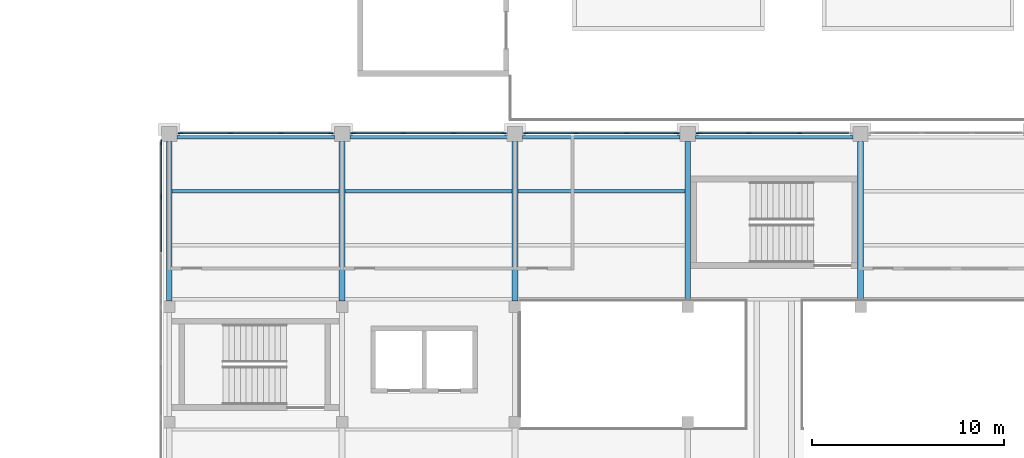
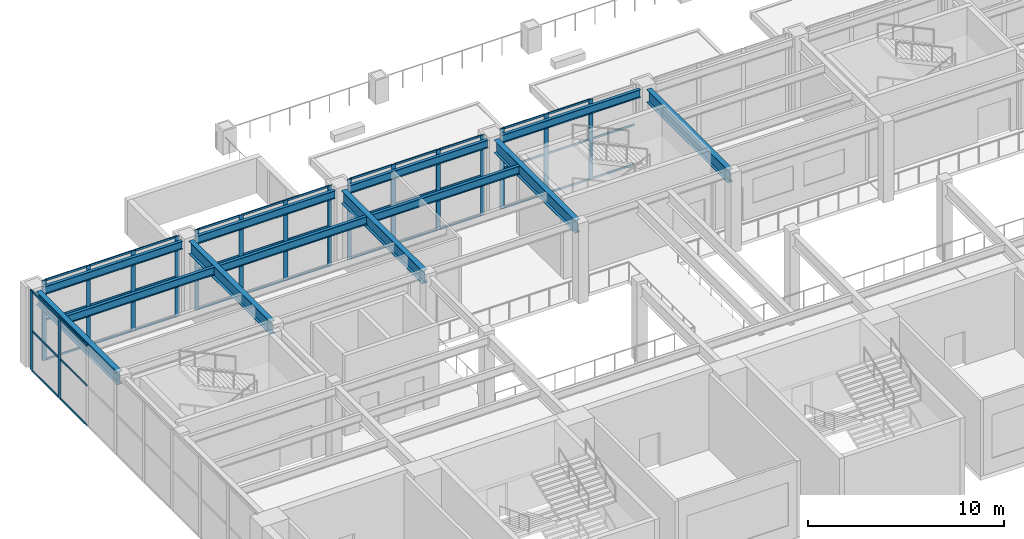
# One storey, part 14 of 67: 58 members, 12 beams, 5 elements without a shape of their own.
"""IFC4 building model written with IfcOpenShell, lengths in metres."""

from ifc_helpers import new_model, si_unit, direction, frame, origin, origin_2d, place, context, subcontext, project, spatial, rectangle, i_section, extrude, material, material_profile, profile_set, type_object, element, aggregate, save


model = new_model("IFC4")

# Units and contexts
model_context = context("Model", 3, precision=1e-05, world=origin(), true_north=direction((0.0, 1.0)))
body_context = subcontext(model_context, "Body", "Model", "MODEL_VIEW")
ifc_project = project(units=[si_unit("LENGTHUNIT", "METRE"), si_unit("AREAUNIT", "SQUARE_METRE"), si_unit("VOLUMEUNIT", "CUBIC_METRE"), si_unit("PLANEANGLEUNIT", "RADIAN"), si_unit("MASSUNIT", "GRAM", prefix="KILO")], contexts=[model_context])

# Site, building, storey
site_placement = place(None, origin())
site = spatial("IfcSite", under=ifc_project, at=site_placement, CompositionType="ELEMENT")
building_placement = place(site_placement, origin())
building = spatial("IfcBuilding", under=site, at=building_placement, Name="Aravalli Gate Trade Fair Centre", CompositionType="ELEMENT")
storey_placement = place(building_placement, frame((0.0, 0.0, 5.0)))
storey = spatial("IfcBuildingStorey", under=building, at=storey_placement, Name="L01", CompositionType="ELEMENT", Elevation=5.0)

# Curtain wall, members
ifc_material_1 = material(Name="Aluminium and glass", Category="aluminium")
curtain_wall_type = type_object("IfcCurtainWallType", Name="Curtain wall 3000 module, tall", PredefinedType="NOTDEFINED", material=ifc_material_1)
curtain_wall_1_placement = place(storey_placement, origin())
curtain_wall_1 = element("IfcCurtainWall", 1, at=curtain_wall_1_placement, inside=storey, type_object=curtain_wall_type, Name="Curtain wall north bay 1 L01", PredefinedType="NOTDEFINED")
ifc_material_2 = material(Name="Aluminium", Category="aluminium")
ifc_material_profile_1 = material_profile(ifc_material_2, rectangle(XDim=0.06005859375, YDim=0.25, at=origin_2d()), Name="Concourse curtain wall mullion 60 x 250")
ifc_profile_set_1 = profile_set([ifc_material_profile_1], Name="Aluminium")
member_type_1 = type_object("IfcMemberType", Name="Concourse curtain wall mullion 60 x 250", PredefinedType="MULLION", material=ifc_profile_set_1)
member_1_placement = place(storey_placement, frame((6.580078125, 133.044921875, 0.0), z_axis=(0.0, 0.0, 1.0), x_axis=(0.0, 1.0, 0.0)))
member_1 = element("IfcMember", 2, at=member_1_placement, type_object=member_type_1, Name="CW3 mullion 1", PredefinedType="MULLION", context=body_context, shape_type="SweptSolid", body=[
    extrude(rectangle(XDim=0.06005859375, YDim=0.25, at=origin_2d()), origin(), (0.0, 0.0, 1.0), 5.0),
])
member_2_placement = place(storey_placement, frame((9.183349609375, 133.044921875, 0.0), z_axis=(0.0, 0.0, 1.0), x_axis=(0.0, 1.0, 0.0)))
member_2 = element("IfcMember", 3, at=member_2_placement, type_object=member_type_1, Name="CW3 mullion 2", PredefinedType="MULLION", context=body_context, shape_type="SweptSolid", body=[
    extrude(rectangle(XDim=0.06005859375, YDim=0.25, at=origin_2d()), origin(), (0.0, 0.0, 1.0), 5.0),
])
member_3_placement = place(storey_placement, frame((11.816650390625, 133.044921875, 0.0), z_axis=(0.0, 0.0, 1.0), x_axis=(0.0, 1.0, 0.0)))
member_3 = element("IfcMember", 4, at=member_3_placement, type_object=member_type_1, Name="CW3 mullion 3", PredefinedType="MULLION", context=body_context, shape_type="SweptSolid", body=[
    extrude(rectangle(XDim=0.06005859375, YDim=0.25, at=origin_2d()), origin(), (0.0, 0.0, 1.0), 5.0),
])
member_4_placement = place(storey_placement, frame((14.419921875, 133.044921875, 0.0), z_axis=(0.0, 0.0, 1.0), x_axis=(0.0, 1.0, 0.0)))
member_4 = element("IfcMember", 5, at=member_4_placement, type_object=member_type_1, Name="CW3 mullion 4", PredefinedType="MULLION", context=body_context, shape_type="SweptSolid", body=[
    extrude(rectangle(XDim=0.06005859375, YDim=0.25, at=origin_2d()), origin(), (0.0, 0.0, 1.0), 5.0),
])

curtain_wall_2_placement = place(storey_placement, origin())
curtain_wall_2 = element("IfcCurtainWall", 6, at=curtain_wall_2_placement, inside=storey, type_object=curtain_wall_type, Name="Curtain wall north bay 2 L01", PredefinedType="NOTDEFINED")
member_5_placement = place(storey_placement, frame((15.580078125, 133.044921875, 0.0), z_axis=(0.0, 0.0, 1.0), x_axis=(0.0, 1.0, 0.0)))
member_5 = element("IfcMember", 7, at=member_5_placement, type_object=member_type_1, Name="CW3 mullion 1", PredefinedType="MULLION", context=body_context, shape_type="SweptSolid", body=[
    extrude(rectangle(XDim=0.06005859375, YDim=0.25, at=origin_2d()), origin(), (0.0, 0.0, 1.0), 5.0),
])
member_6_placement = place(storey_placement, frame((18.183349609375, 133.044921875, 0.0), z_axis=(0.0, 0.0, 1.0), x_axis=(0.0, 1.0, 0.0)))
member_6 = element("IfcMember", 8, at=member_6_placement, type_object=member_type_1, Name="CW3 mullion 2", PredefinedType="MULLION", context=body_context, shape_type="SweptSolid", body=[
    extrude(rectangle(XDim=0.06005859375, YDim=0.25, at=origin_2d()), origin(), (0.0, 0.0, 1.0), 5.0),
])
member_7_placement = place(storey_placement, frame((20.816650390625, 133.044921875, 0.0), z_axis=(0.0, 0.0, 1.0), x_axis=(0.0, 1.0, 0.0)))
member_7 = element("IfcMember", 9, at=member_7_placement, type_object=member_type_1, Name="CW3 mullion 3", PredefinedType="MULLION", context=body_context, shape_type="SweptSolid", body=[
    extrude(rectangle(XDim=0.06005859375, YDim=0.25, at=origin_2d()), origin(), (0.0, 0.0, 1.0), 5.0),
])
member_8_placement = place(storey_placement, frame((23.419921875, 133.044921875, 0.0), z_axis=(0.0, 0.0, 1.0), x_axis=(0.0, 1.0, 0.0)))
member_8 = element("IfcMember", 10, at=member_8_placement, type_object=member_type_1, Name="CW3 mullion 4", PredefinedType="MULLION", context=body_context, shape_type="SweptSolid", body=[
    extrude(rectangle(XDim=0.06005859375, YDim=0.25, at=origin_2d()), origin(), (0.0, 0.0, 1.0), 5.0),
])

curtain_wall_3_placement = place(storey_placement, origin())
curtain_wall_3 = element("IfcCurtainWall", 11, at=curtain_wall_3_placement, inside=storey, type_object=curtain_wall_type, Name="Curtain wall north bay 3 L01", PredefinedType="NOTDEFINED")
member_9_placement = place(storey_placement, frame((24.580078125, 133.044921875, 0.0), z_axis=(0.0, 0.0, 1.0), x_axis=(0.0, 1.0, 0.0)))
member_9 = element("IfcMember", 12, at=member_9_placement, type_object=member_type_1, Name="CW3 mullion 1", PredefinedType="MULLION", context=body_context, shape_type="SweptSolid", body=[
    extrude(rectangle(XDim=0.06005859375, YDim=0.25, at=origin_2d()), origin(), (0.0, 0.0, 1.0), 5.0),
])
member_10_placement = place(storey_placement, frame((27.183349609375, 133.044921875, 0.0), z_axis=(0.0, 0.0, 1.0), x_axis=(0.0, 1.0, 0.0)))
member_10 = element("IfcMember", 13, at=member_10_placement, type_object=member_type_1, Name="CW3 mullion 2", PredefinedType="MULLION", context=body_context, shape_type="SweptSolid", body=[
    extrude(rectangle(XDim=0.06005859375, YDim=0.25, at=origin_2d()), origin(), (0.0, 0.0, 1.0), 5.0),
])
member_11_placement = place(storey_placement, frame((29.816650390625, 133.044921875, 0.0), z_axis=(0.0, 0.0, 1.0), x_axis=(0.0, 1.0, 0.0)))
member_11 = element("IfcMember", 14, at=member_11_placement, type_object=member_type_1, Name="CW3 mullion 3", PredefinedType="MULLION", context=body_context, shape_type="SweptSolid", body=[
    extrude(rectangle(XDim=0.06005859375, YDim=0.25, at=origin_2d()), origin(), (0.0, 0.0, 1.0), 5.0),
])
member_12_placement = place(storey_placement, frame((32.419921875, 133.044921875, 0.0), z_axis=(0.0, 0.0, 1.0), x_axis=(0.0, 1.0, 0.0)))
member_12 = element("IfcMember", 15, at=member_12_placement, type_object=member_type_1, Name="CW3 mullion 4", PredefinedType="MULLION", context=body_context, shape_type="SweptSolid", body=[
    extrude(rectangle(XDim=0.06005859375, YDim=0.25, at=origin_2d()), origin(), (0.0, 0.0, 1.0), 5.0),
])

curtain_wall_4_placement = place(storey_placement, origin())
curtain_wall_4 = element("IfcCurtainWall", 16, at=curtain_wall_4_placement, inside=storey, type_object=curtain_wall_type, Name="Curtain wall north bay 4 L01", PredefinedType="NOTDEFINED")
member_13_placement = place(storey_placement, frame((33.580078125, 133.044921875, 0.0), z_axis=(0.0, 0.0, 1.0), x_axis=(0.0, 1.0, 0.0)))
member_13 = element("IfcMember", 17, at=member_13_placement, type_object=member_type_1, Name="CW3 mullion 1", PredefinedType="MULLION", context=body_context, shape_type="SweptSolid", body=[
    extrude(rectangle(XDim=0.06005859375, YDim=0.25, at=origin_2d()), origin(), (0.0, 0.0, 1.0), 5.0),
])
member_14_placement = place(storey_placement, frame((36.183349609375, 133.044921875, 0.0), z_axis=(0.0, 0.0, 1.0), x_axis=(0.0, 1.0, 0.0)))
member_14 = element("IfcMember", 18, at=member_14_placement, type_object=member_type_1, Name="CW3 mullion 2", PredefinedType="MULLION", context=body_context, shape_type="SweptSolid", body=[
    extrude(rectangle(XDim=0.06005859375, YDim=0.25, at=origin_2d()), origin(), (0.0, 0.0, 1.0), 5.0),
])
member_15_placement = place(storey_placement, frame((38.816650390625, 133.044921875, 0.0), z_axis=(0.0, 0.0, 1.0), x_axis=(0.0, 1.0, 0.0)))
member_15 = element("IfcMember", 19, at=member_15_placement, type_object=member_type_1, Name="CW3 mullion 3", PredefinedType="MULLION", context=body_context, shape_type="SweptSolid", body=[
    extrude(rectangle(XDim=0.06005859375, YDim=0.25, at=origin_2d()), origin(), (0.0, 0.0, 1.0), 5.0),
])

curtain_wall_5_placement = place(storey_placement, origin())
curtain_wall_5 = element("IfcCurtainWall", 20, at=curtain_wall_5_placement, inside=storey, type_object=curtain_wall_type, Name="Curtain wall west end L01", PredefinedType="NOTDEFINED")
member_16_placement = place(storey_placement, frame((5.574951171875, 129.72509765625, 0.0), z_axis=(0.0, 0.0, 1.0), x_axis=(-1.0, 0.0, 0.0)))
member_16 = element("IfcMember", 21, at=member_16_placement, type_object=member_type_1, Name="CW3 mullion 8", PredefinedType="MULLION", context=body_context, shape_type="SweptSolid", body=[
    extrude(rectangle(XDim=0.06005859375, YDim=0.25, at=origin_2d()), origin(), (0.0, 0.0, 1.0), 5.0),
])
member_17_placement = place(storey_placement, frame((5.574951171875, 132.570068359375, 0.0), z_axis=(0.0, 0.0, 1.0), x_axis=(-1.0, 0.0, 0.0)))
member_17 = element("IfcMember", 22, at=member_17_placement, type_object=member_type_1, Name="CW3 mullion 9", PredefinedType="MULLION", context=body_context, shape_type="SweptSolid", body=[
    extrude(rectangle(XDim=0.06005859375, YDim=0.25, at=origin_2d()), origin(), (0.0, 0.0, 1.0), 5.0),
])

# Member
ifc_material_profile_2 = material_profile(ifc_material_2, rectangle(XDim=0.06005859375, YDim=0.1201171875, at=origin_2d()), Name="Concourse curtain wall transom 60 x 120")
ifc_profile_set_2 = profile_set([ifc_material_profile_2], Name="Aluminium")
member_type_2 = type_object("IfcMemberType", Name="Concourse curtain wall transom 60 x 120", PredefinedType="USERDEFINED", material=ifc_profile_set_2)
member_18_placement = place(storey_placement, frame((6.610107421875, 133.044921875, 0.030029296875), z_axis=(1.0, 0.0, 0.0), x_axis=(0.0, 1.0, 0.0)))
member_18 = element("IfcMember", 23, at=member_18_placement, type_object=member_type_2, Name="CW3 transom 1.1", ObjectType="TRANSOM", PredefinedType="USERDEFINED", context=body_context, shape_type="SweptSolid", body=[
    extrude(rectangle(XDim=0.06005859375, YDim=0.1201171875, at=origin_2d()), origin(), (0.0, 0.0, 1.0), 2.543212890625),
])

member_19_placement = place(storey_placement, frame((6.610107421875, 133.044921875, 2.5), z_axis=(1.0, 0.0, 0.0), x_axis=(0.0, 1.0, 0.0)))
member_19 = element("IfcMember", 24, at=member_19_placement, type_object=member_type_2, Name="CW3 transom 1.2", ObjectType="TRANSOM", PredefinedType="USERDEFINED", context=body_context, shape_type="SweptSolid", body=[
    extrude(rectangle(XDim=0.06005859375, YDim=0.1201171875, at=origin_2d()), origin(), (0.0, 0.0, 1.0), 2.543212890625),
])

member_20_placement = place(storey_placement, frame((6.610107421875, 133.044921875, 4.969970703125), z_axis=(1.0, 0.0, 0.0), x_axis=(0.0, 1.0, 0.0)))
member_20 = element("IfcMember", 25, at=member_20_placement, type_object=member_type_2, Name="CW3 transom 1.3", ObjectType="TRANSOM", PredefinedType="USERDEFINED", context=body_context, shape_type="SweptSolid", body=[
    extrude(rectangle(XDim=0.06005859375, YDim=0.1201171875, at=origin_2d()), origin(), (0.0, 0.0, 1.0), 2.543212890625),
])

member_21_placement = place(storey_placement, frame((9.21337890625, 133.044921875, 0.030029296875), z_axis=(1.0, 0.0, 0.0), x_axis=(0.0, 1.0, 0.0)))
member_21 = element("IfcMember", 26, at=member_21_placement, type_object=member_type_2, Name="CW3 transom 2.1", ObjectType="TRANSOM", PredefinedType="USERDEFINED", context=body_context, shape_type="SweptSolid", body=[
    extrude(rectangle(XDim=0.06005859375, YDim=0.1201171875, at=origin_2d()), origin(), (0.0, 0.0, 1.0), 2.5732421875),
])

member_22_placement = place(storey_placement, frame((9.21337890625, 133.044921875, 2.5), z_axis=(1.0, 0.0, 0.0), x_axis=(0.0, 1.0, 0.0)))
member_22 = element("IfcMember", 27, at=member_22_placement, type_object=member_type_2, Name="CW3 transom 2.2", ObjectType="TRANSOM", PredefinedType="USERDEFINED", context=body_context, shape_type="SweptSolid", body=[
    extrude(rectangle(XDim=0.06005859375, YDim=0.1201171875, at=origin_2d()), origin(), (0.0, 0.0, 1.0), 2.5732421875),
])

member_23_placement = place(storey_placement, frame((9.21337890625, 133.044921875, 4.969970703125), z_axis=(1.0, 0.0, 0.0), x_axis=(0.0, 1.0, 0.0)))
member_23 = element("IfcMember", 28, at=member_23_placement, type_object=member_type_2, Name="CW3 transom 2.3", ObjectType="TRANSOM", PredefinedType="USERDEFINED", context=body_context, shape_type="SweptSolid", body=[
    extrude(rectangle(XDim=0.06005859375, YDim=0.1201171875, at=origin_2d()), origin(), (0.0, 0.0, 1.0), 2.5732421875),
])

member_24_placement = place(storey_placement, frame((11.8466796875, 133.044921875, 0.030029296875), z_axis=(1.0, 0.0, 0.0), x_axis=(0.0, 1.0, 0.0)))
member_24 = element("IfcMember", 29, at=member_24_placement, type_object=member_type_2, Name="CW3 transom 3.1", ObjectType="TRANSOM", PredefinedType="USERDEFINED", context=body_context, shape_type="SweptSolid", body=[
    extrude(rectangle(XDim=0.06005859375, YDim=0.1201171875, at=origin_2d()), origin(), (0.0, 0.0, 1.0), 2.543212890625),
])

member_25_placement = place(storey_placement, frame((11.8466796875, 133.044921875, 2.5), z_axis=(1.0, 0.0, 0.0), x_axis=(0.0, 1.0, 0.0)))
member_25 = element("IfcMember", 30, at=member_25_placement, type_object=member_type_2, Name="CW3 transom 3.2", ObjectType="TRANSOM", PredefinedType="USERDEFINED", context=body_context, shape_type="SweptSolid", body=[
    extrude(rectangle(XDim=0.06005859375, YDim=0.1201171875, at=origin_2d()), origin(), (0.0, 0.0, 1.0), 2.543212890625),
])

member_26_placement = place(storey_placement, frame((11.8466796875, 133.044921875, 4.969970703125), z_axis=(1.0, 0.0, 0.0), x_axis=(0.0, 1.0, 0.0)))
member_26 = element("IfcMember", 31, at=member_26_placement, type_object=member_type_2, Name="CW3 transom 3.3", ObjectType="TRANSOM", PredefinedType="USERDEFINED", context=body_context, shape_type="SweptSolid", body=[
    extrude(rectangle(XDim=0.06005859375, YDim=0.1201171875, at=origin_2d()), origin(), (0.0, 0.0, 1.0), 2.543212890625),
])

aggregate(curtain_wall_1, [member_1, member_2, member_3, member_4, member_18, member_19, member_20, member_21, member_22, member_23, member_24, member_25, member_26])

member_27_placement = place(storey_placement, frame((15.610107421875, 133.044921875, 0.030029296875), z_axis=(1.0, 0.0, 0.0), x_axis=(0.0, 1.0, 0.0)))
member_27 = element("IfcMember", 32, at=member_27_placement, type_object=member_type_2, Name="CW3 transom 1.1", ObjectType="TRANSOM", PredefinedType="USERDEFINED", context=body_context, shape_type="SweptSolid", body=[
    extrude(rectangle(XDim=0.06005859375, YDim=0.1201171875, at=origin_2d()), origin(), (0.0, 0.0, 1.0), 2.543212890625),
])

member_28_placement = place(storey_placement, frame((15.610107421875, 133.044921875, 2.5), z_axis=(1.0, 0.0, 0.0), x_axis=(0.0, 1.0, 0.0)))
member_28 = element("IfcMember", 33, at=member_28_placement, type_object=member_type_2, Name="CW3 transom 1.2", ObjectType="TRANSOM", PredefinedType="USERDEFINED", context=body_context, shape_type="SweptSolid", body=[
    extrude(rectangle(XDim=0.06005859375, YDim=0.1201171875, at=origin_2d()), origin(), (0.0, 0.0, 1.0), 2.543212890625),
])

member_29_placement = place(storey_placement, frame((15.610107421875, 133.044921875, 4.969970703125), z_axis=(1.0, 0.0, 0.0), x_axis=(0.0, 1.0, 0.0)))
member_29 = element("IfcMember", 34, at=member_29_placement, type_object=member_type_2, Name="CW3 transom 1.3", ObjectType="TRANSOM", PredefinedType="USERDEFINED", context=body_context, shape_type="SweptSolid", body=[
    extrude(rectangle(XDim=0.06005859375, YDim=0.1201171875, at=origin_2d()), origin(), (0.0, 0.0, 1.0), 2.543212890625),
])

member_30_placement = place(storey_placement, frame((18.21337890625, 133.044921875, 0.030029296875), z_axis=(1.0, 0.0, 0.0), x_axis=(0.0, 1.0, 0.0)))
member_30 = element("IfcMember", 35, at=member_30_placement, type_object=member_type_2, Name="CW3 transom 2.1", ObjectType="TRANSOM", PredefinedType="USERDEFINED", context=body_context, shape_type="SweptSolid", body=[
    extrude(rectangle(XDim=0.06005859375, YDim=0.1201171875, at=origin_2d()), origin(), (0.0, 0.0, 1.0), 2.5732421875),
])

member_31_placement = place(storey_placement, frame((18.21337890625, 133.044921875, 2.5), z_axis=(1.0, 0.0, 0.0), x_axis=(0.0, 1.0, 0.0)))
member_31 = element("IfcMember", 36, at=member_31_placement, type_object=member_type_2, Name="CW3 transom 2.2", ObjectType="TRANSOM", PredefinedType="USERDEFINED", context=body_context, shape_type="SweptSolid", body=[
    extrude(rectangle(XDim=0.06005859375, YDim=0.1201171875, at=origin_2d()), origin(), (0.0, 0.0, 1.0), 2.5732421875),
])

member_32_placement = place(storey_placement, frame((18.21337890625, 133.044921875, 4.969970703125), z_axis=(1.0, 0.0, 0.0), x_axis=(0.0, 1.0, 0.0)))
member_32 = element("IfcMember", 37, at=member_32_placement, type_object=member_type_2, Name="CW3 transom 2.3", ObjectType="TRANSOM", PredefinedType="USERDEFINED", context=body_context, shape_type="SweptSolid", body=[
    extrude(rectangle(XDim=0.06005859375, YDim=0.1201171875, at=origin_2d()), origin(), (0.0, 0.0, 1.0), 2.5732421875),
])

member_33_placement = place(storey_placement, frame((20.8466796875, 133.044921875, 0.030029296875), z_axis=(1.0, 0.0, 0.0), x_axis=(0.0, 1.0, 0.0)))
member_33 = element("IfcMember", 38, at=member_33_placement, type_object=member_type_2, Name="CW3 transom 3.1", ObjectType="TRANSOM", PredefinedType="USERDEFINED", context=body_context, shape_type="SweptSolid", body=[
    extrude(rectangle(XDim=0.06005859375, YDim=0.1201171875, at=origin_2d()), origin(), (0.0, 0.0, 1.0), 2.543212890625),
])

member_34_placement = place(storey_placement, frame((20.8466796875, 133.044921875, 2.5), z_axis=(1.0, 0.0, 0.0), x_axis=(0.0, 1.0, 0.0)))
member_34 = element("IfcMember", 39, at=member_34_placement, type_object=member_type_2, Name="CW3 transom 3.2", ObjectType="TRANSOM", PredefinedType="USERDEFINED", context=body_context, shape_type="SweptSolid", body=[
    extrude(rectangle(XDim=0.06005859375, YDim=0.1201171875, at=origin_2d()), origin(), (0.0, 0.0, 1.0), 2.543212890625),
])

member_35_placement = place(storey_placement, frame((20.8466796875, 133.044921875, 4.969970703125), z_axis=(1.0, 0.0, 0.0), x_axis=(0.0, 1.0, 0.0)))
member_35 = element("IfcMember", 40, at=member_35_placement, type_object=member_type_2, Name="CW3 transom 3.3", ObjectType="TRANSOM", PredefinedType="USERDEFINED", context=body_context, shape_type="SweptSolid", body=[
    extrude(rectangle(XDim=0.06005859375, YDim=0.1201171875, at=origin_2d()), origin(), (0.0, 0.0, 1.0), 2.543212890625),
])

aggregate(curtain_wall_2, [member_5, member_6, member_7, member_8, member_27, member_28, member_29, member_30, member_31, member_32, member_33, member_34, member_35])

member_36_placement = place(storey_placement, frame((24.610107421875, 133.044921875, 0.030029296875), z_axis=(1.0, 0.0, 0.0), x_axis=(0.0, 1.0, 0.0)))
member_36 = element("IfcMember", 41, at=member_36_placement, type_object=member_type_2, Name="CW3 transom 1.1", ObjectType="TRANSOM", PredefinedType="USERDEFINED", context=body_context, shape_type="SweptSolid", body=[
    extrude(rectangle(XDim=0.06005859375, YDim=0.1201171875, at=origin_2d()), origin(), (0.0, 0.0, 1.0), 2.543212890625),
])

member_37_placement = place(storey_placement, frame((24.610107421875, 133.044921875, 2.5), z_axis=(1.0, 0.0, 0.0), x_axis=(0.0, 1.0, 0.0)))
member_37 = element("IfcMember", 42, at=member_37_placement, type_object=member_type_2, Name="CW3 transom 1.2", ObjectType="TRANSOM", PredefinedType="USERDEFINED", context=body_context, shape_type="SweptSolid", body=[
    extrude(rectangle(XDim=0.06005859375, YDim=0.1201171875, at=origin_2d()), origin(), (0.0, 0.0, 1.0), 2.543212890625),
])

member_38_placement = place(storey_placement, frame((24.610107421875, 133.044921875, 4.969970703125), z_axis=(1.0, 0.0, 0.0), x_axis=(0.0, 1.0, 0.0)))
member_38 = element("IfcMember", 43, at=member_38_placement, type_object=member_type_2, Name="CW3 transom 1.3", ObjectType="TRANSOM", PredefinedType="USERDEFINED", context=body_context, shape_type="SweptSolid", body=[
    extrude(rectangle(XDim=0.06005859375, YDim=0.1201171875, at=origin_2d()), origin(), (0.0, 0.0, 1.0), 2.543212890625),
])

member_39_placement = place(storey_placement, frame((27.21337890625, 133.044921875, 0.030029296875), z_axis=(1.0, 0.0, 0.0), x_axis=(0.0, 1.0, 0.0)))
member_39 = element("IfcMember", 44, at=member_39_placement, type_object=member_type_2, Name="CW3 transom 2.1", ObjectType="TRANSOM", PredefinedType="USERDEFINED", context=body_context, shape_type="SweptSolid", body=[
    extrude(rectangle(XDim=0.06005859375, YDim=0.1201171875, at=origin_2d()), origin(), (0.0, 0.0, 1.0), 2.5732421875),
])

member_40_placement = place(storey_placement, frame((27.21337890625, 133.044921875, 2.5), z_axis=(1.0, 0.0, 0.0), x_axis=(0.0, 1.0, 0.0)))
member_40 = element("IfcMember", 45, at=member_40_placement, type_object=member_type_2, Name="CW3 transom 2.2", ObjectType="TRANSOM", PredefinedType="USERDEFINED", context=body_context, shape_type="SweptSolid", body=[
    extrude(rectangle(XDim=0.06005859375, YDim=0.1201171875, at=origin_2d()), origin(), (0.0, 0.0, 1.0), 2.5732421875),
])

member_41_placement = place(storey_placement, frame((27.21337890625, 133.044921875, 4.969970703125), z_axis=(1.0, 0.0, 0.0), x_axis=(0.0, 1.0, 0.0)))
member_41 = element("IfcMember", 46, at=member_41_placement, type_object=member_type_2, Name="CW3 transom 2.3", ObjectType="TRANSOM", PredefinedType="USERDEFINED", context=body_context, shape_type="SweptSolid", body=[
    extrude(rectangle(XDim=0.06005859375, YDim=0.1201171875, at=origin_2d()), origin(), (0.0, 0.0, 1.0), 2.5732421875),
])

member_42_placement = place(storey_placement, frame((29.8466796875, 133.044921875, 0.030029296875), z_axis=(1.0, 0.0, 0.0), x_axis=(0.0, 1.0, 0.0)))
member_42 = element("IfcMember", 47, at=member_42_placement, type_object=member_type_2, Name="CW3 transom 3.1", ObjectType="TRANSOM", PredefinedType="USERDEFINED", context=body_context, shape_type="SweptSolid", body=[
    extrude(rectangle(XDim=0.06005859375, YDim=0.1201171875, at=origin_2d()), origin(), (0.0, 0.0, 1.0), 2.543212890625),
])

member_43_placement = place(storey_placement, frame((29.8466796875, 133.044921875, 2.5), z_axis=(1.0, 0.0, 0.0), x_axis=(0.0, 1.0, 0.0)))
member_43 = element("IfcMember", 48, at=member_43_placement, type_object=member_type_2, Name="CW3 transom 3.2", ObjectType="TRANSOM", PredefinedType="USERDEFINED", context=body_context, shape_type="SweptSolid", body=[
    extrude(rectangle(XDim=0.06005859375, YDim=0.1201171875, at=origin_2d()), origin(), (0.0, 0.0, 1.0), 2.543212890625),
])

member_44_placement = place(storey_placement, frame((29.8466796875, 133.044921875, 4.969970703125), z_axis=(1.0, 0.0, 0.0), x_axis=(0.0, 1.0, 0.0)))
member_44 = element("IfcMember", 49, at=member_44_placement, type_object=member_type_2, Name="CW3 transom 3.3", ObjectType="TRANSOM", PredefinedType="USERDEFINED", context=body_context, shape_type="SweptSolid", body=[
    extrude(rectangle(XDim=0.06005859375, YDim=0.1201171875, at=origin_2d()), origin(), (0.0, 0.0, 1.0), 2.543212890625),
])

aggregate(curtain_wall_3, [member_9, member_10, member_11, member_12, member_36, member_37, member_38, member_39, member_40, member_41, member_42, member_43, member_44])

member_45_placement = place(storey_placement, frame((33.610107421875, 133.044921875, 0.030029296875), z_axis=(1.0, 0.0, 0.0), x_axis=(0.0, 1.0, 0.0)))
member_45 = element("IfcMember", 50, at=member_45_placement, type_object=member_type_2, Name="CW3 transom 1.1", ObjectType="TRANSOM", PredefinedType="USERDEFINED", context=body_context, shape_type="SweptSolid", body=[
    extrude(rectangle(XDim=0.06005859375, YDim=0.1201171875, at=origin_2d()), origin(), (0.0, 0.0, 1.0), 2.543212890625),
])

member_46_placement = place(storey_placement, frame((33.610107421875, 133.044921875, 2.5), z_axis=(1.0, 0.0, 0.0), x_axis=(0.0, 1.0, 0.0)))
member_46 = element("IfcMember", 51, at=member_46_placement, type_object=member_type_2, Name="CW3 transom 1.2", ObjectType="TRANSOM", PredefinedType="USERDEFINED", context=body_context, shape_type="SweptSolid", body=[
    extrude(rectangle(XDim=0.06005859375, YDim=0.1201171875, at=origin_2d()), origin(), (0.0, 0.0, 1.0), 2.543212890625),
])

member_47_placement = place(storey_placement, frame((33.610107421875, 133.044921875, 4.969970703125), z_axis=(1.0, 0.0, 0.0), x_axis=(0.0, 1.0, 0.0)))
member_47 = element("IfcMember", 52, at=member_47_placement, type_object=member_type_2, Name="CW3 transom 1.3", ObjectType="TRANSOM", PredefinedType="USERDEFINED", context=body_context, shape_type="SweptSolid", body=[
    extrude(rectangle(XDim=0.06005859375, YDim=0.1201171875, at=origin_2d()), origin(), (0.0, 0.0, 1.0), 2.543212890625),
])

member_48_placement = place(storey_placement, frame((36.21337890625, 133.044921875, 0.030029296875), z_axis=(1.0, 0.0, 0.0), x_axis=(0.0, 1.0, 0.0)))
member_48 = element("IfcMember", 53, at=member_48_placement, type_object=member_type_2, Name="CW3 transom 2.1", ObjectType="TRANSOM", PredefinedType="USERDEFINED", context=body_context, shape_type="SweptSolid", body=[
    extrude(rectangle(XDim=0.06005859375, YDim=0.1201171875, at=origin_2d()), origin(), (0.0, 0.0, 1.0), 2.5732421875),
])

member_49_placement = place(storey_placement, frame((36.21337890625, 133.044921875, 2.5), z_axis=(1.0, 0.0, 0.0), x_axis=(0.0, 1.0, 0.0)))
member_49 = element("IfcMember", 54, at=member_49_placement, type_object=member_type_2, Name="CW3 transom 2.2", ObjectType="TRANSOM", PredefinedType="USERDEFINED", context=body_context, shape_type="SweptSolid", body=[
    extrude(rectangle(XDim=0.06005859375, YDim=0.1201171875, at=origin_2d()), origin(), (0.0, 0.0, 1.0), 2.5732421875),
])

member_50_placement = place(storey_placement, frame((36.21337890625, 133.044921875, 4.969970703125), z_axis=(1.0, 0.0, 0.0), x_axis=(0.0, 1.0, 0.0)))
member_50 = element("IfcMember", 55, at=member_50_placement, type_object=member_type_2, Name="CW3 transom 2.3", ObjectType="TRANSOM", PredefinedType="USERDEFINED", context=body_context, shape_type="SweptSolid", body=[
    extrude(rectangle(XDim=0.06005859375, YDim=0.1201171875, at=origin_2d()), origin(), (0.0, 0.0, 1.0), 2.5732421875),
])

member_51_placement = place(storey_placement, frame((38.8466796875, 133.044921875, 0.030029296875), z_axis=(1.0, 0.0, 0.0), x_axis=(0.0, 1.0, 0.0)))
member_51 = element("IfcMember", 56, at=member_51_placement, type_object=member_type_2, Name="CW3 transom 3.1", ObjectType="TRANSOM", PredefinedType="USERDEFINED", context=body_context, shape_type="SweptSolid", body=[
    extrude(rectangle(XDim=0.06005859375, YDim=0.1201171875, at=origin_2d()), origin(), (0.0, 0.0, 1.0), 2.543212890625),
])

member_52_placement = place(storey_placement, frame((38.8466796875, 133.044921875, 2.5), z_axis=(1.0, 0.0, 0.0), x_axis=(0.0, 1.0, 0.0)))
member_52 = element("IfcMember", 57, at=member_52_placement, type_object=member_type_2, Name="CW3 transom 3.2", ObjectType="TRANSOM", PredefinedType="USERDEFINED", context=body_context, shape_type="SweptSolid", body=[
    extrude(rectangle(XDim=0.06005859375, YDim=0.1201171875, at=origin_2d()), origin(), (0.0, 0.0, 1.0), 2.543212890625),
])

aggregate(curtain_wall_4, [member_13, member_14, member_15, member_45, member_46, member_47, member_48, member_49, member_50, member_51, member_52])

member_53_placement = place(storey_placement, frame((5.574951171875, 126.8798828125, 0.030029296875), z_axis=(0.0, 1.0, 0.0), x_axis=(-1.0, 0.0, 0.0)))
member_53 = element("IfcMember", 58, at=member_53_placement, type_object=member_type_2, Name="CW3 transom 7.1", ObjectType="TRANSOM", PredefinedType="USERDEFINED", context=body_context, shape_type="SweptSolid", body=[
    extrude(rectangle(XDim=0.06005859375, YDim=0.1201171875, at=origin_2d()), origin(), (0.0, 0.0, 1.0), 2.815185546875),
])

member_54_placement = place(storey_placement, frame((5.574951171875, 126.8798828125, 2.5), z_axis=(0.0, 1.0, 0.0), x_axis=(-1.0, 0.0, 0.0)))
member_54 = element("IfcMember", 59, at=member_54_placement, type_object=member_type_2, Name="CW3 transom 7.2", ObjectType="TRANSOM", PredefinedType="USERDEFINED", context=body_context, shape_type="SweptSolid", body=[
    extrude(rectangle(XDim=0.06005859375, YDim=0.1201171875, at=origin_2d()), origin(), (0.0, 0.0, 1.0), 2.815185546875),
])

member_55_placement = place(storey_placement, frame((5.574951171875, 126.8798828125, 4.969970703125), z_axis=(0.0, 1.0, 0.0), x_axis=(-1.0, 0.0, 0.0)))
member_55 = element("IfcMember", 60, at=member_55_placement, type_object=member_type_2, Name="CW3 transom 7.3", ObjectType="TRANSOM", PredefinedType="USERDEFINED", context=body_context, shape_type="SweptSolid", body=[
    extrude(rectangle(XDim=0.06005859375, YDim=0.1201171875, at=origin_2d()), origin(), (0.0, 0.0, 1.0), 2.815185546875),
])

member_56_placement = place(storey_placement, frame((5.574951171875, 129.7548828125, 0.030029296875), z_axis=(0.0, 1.0, 0.0), x_axis=(-1.0, 0.0, 0.0)))
member_56 = element("IfcMember", 61, at=member_56_placement, type_object=member_type_2, Name="CW3 transom 8.1", ObjectType="TRANSOM", PredefinedType="USERDEFINED", context=body_context, shape_type="SweptSolid", body=[
    extrude(rectangle(XDim=0.06005859375, YDim=0.1201171875, at=origin_2d()), origin(), (0.0, 0.0, 1.0), 2.78515625),
])

member_57_placement = place(storey_placement, frame((5.574951171875, 129.7548828125, 2.5), z_axis=(0.0, 1.0, 0.0), x_axis=(-1.0, 0.0, 0.0)))
member_57 = element("IfcMember", 62, at=member_57_placement, type_object=member_type_2, Name="CW3 transom 8.2", ObjectType="TRANSOM", PredefinedType="USERDEFINED", context=body_context, shape_type="SweptSolid", body=[
    extrude(rectangle(XDim=0.06005859375, YDim=0.1201171875, at=origin_2d()), origin(), (0.0, 0.0, 1.0), 2.78515625),
])

member_58_placement = place(storey_placement, frame((5.574951171875, 129.7548828125, 4.969970703125), z_axis=(0.0, 1.0, 0.0), x_axis=(-1.0, 0.0, 0.0)))
member_58 = element("IfcMember", 63, at=member_58_placement, type_object=member_type_2, Name="CW3 transom 8.3", ObjectType="TRANSOM", PredefinedType="USERDEFINED", context=body_context, shape_type="SweptSolid", body=[
    extrude(rectangle(XDim=0.06005859375, YDim=0.1201171875, at=origin_2d()), origin(), (0.0, 0.0, 1.0), 2.78515625),
])

aggregate(curtain_wall_5, [member_16, member_17, member_53, member_54, member_55, member_56, member_57, member_58])

# Beams
ifc_material_3 = material(Name="Steel E350", Category="steel")
ifc_material_profile_3 = material_profile(ifc_material_3, i_section(OverallWidth=0.179931640625, OverallDepth=0.5, WebThickness=0.01025390625, FlangeThickness=0.01708984375, at=origin_2d()), Name="ISMB 500")
ifc_profile_set_3 = profile_set([ifc_material_profile_3], Name="Steel E350")
beam_type_1 = type_object("IfcBeamType", Name="ISMB 500 gallery secondary beam", PredefinedType="JOIST", material=ifc_profile_set_3)
beam_1_placement = place(storey_placement, frame((6.14990234375, 130.0166015625, 4.550048828125), z_axis=(1.0, 0.0, 0.0), x_axis=(0.0, 1.0, 0.0)))
element("IfcBeam", 64, at=beam_1_placement, inside=storey, type_object=beam_type_1, Name="Gallery beam N6 01-02 L02", PredefinedType="JOIST", context=body_context, shape_type="SweptSolid", body=[
    extrude(i_section(OverallWidth=0.179931640625, OverallDepth=0.5, WebThickness=0.01025390625, FlangeThickness=0.01708984375, at=origin_2d()), origin(), (0.0, 0.0, 1.0), 8.7001953125),
])
beam_2_placement = place(storey_placement, frame((6.39990234375, 132.830078125, 4.550048828125), z_axis=(1.0, 0.0, 0.0), x_axis=(0.0, 1.0, 0.0)))
element("IfcBeam", 65, at=beam_2_placement, inside=storey, type_object=beam_type_1, Name="Gallery beam N7 01-02 L02", PredefinedType="JOIST", context=body_context, shape_type="SweptSolid", body=[
    extrude(i_section(OverallWidth=0.179931640625, OverallDepth=0.5, WebThickness=0.01025390625, FlangeThickness=0.01708984375, at=origin_2d()), origin(), (0.0, 0.0, 1.0), 8.2001953125),
])
beam_3_placement = place(storey_placement, frame((15.14990234375, 130.0166015625, 4.550048828125), z_axis=(1.0, 0.0, 0.0), x_axis=(0.0, 1.0, 0.0)))
element("IfcBeam", 66, at=beam_3_placement, inside=storey, type_object=beam_type_1, Name="Gallery beam N6 02-03 L02", PredefinedType="JOIST", context=body_context, shape_type="SweptSolid", body=[
    extrude(i_section(OverallWidth=0.179931640625, OverallDepth=0.5, WebThickness=0.01025390625, FlangeThickness=0.01708984375, at=origin_2d()), origin(), (0.0, 0.0, 1.0), 8.7001953125),
])
beam_4_placement = place(storey_placement, frame((15.39990234375, 132.830078125, 4.550048828125), z_axis=(1.0, 0.0, 0.0), x_axis=(0.0, 1.0, 0.0)))
element("IfcBeam", 67, at=beam_4_placement, inside=storey, type_object=beam_type_1, Name="Gallery beam N7 02-03 L02", PredefinedType="JOIST", context=body_context, shape_type="SweptSolid", body=[
    extrude(i_section(OverallWidth=0.179931640625, OverallDepth=0.5, WebThickness=0.01025390625, FlangeThickness=0.01708984375, at=origin_2d()), origin(), (0.0, 0.0, 1.0), 8.2001953125),
])
beam_5_placement = place(storey_placement, frame((24.14990234375, 130.0166015625, 4.550048828125), z_axis=(1.0, 0.0, 0.0), x_axis=(0.0, 1.0, 0.0)))
element("IfcBeam", 68, at=beam_5_placement, inside=storey, type_object=beam_type_1, Name="Gallery beam N4 03-04 L02", PredefinedType="JOIST", context=body_context, shape_type="SweptSolid", body=[
    extrude(i_section(OverallWidth=0.179931640625, OverallDepth=0.5, WebThickness=0.01025390625, FlangeThickness=0.01708984375, at=origin_2d()), origin(), (0.0, 0.0, 1.0), 8.7001953125),
])
for number, where, z_axis, x_axis, name in (
    (69, (24.39990234375, 132.830078125, 4.550048828125), (1.0, 0.0, 0.0), (0.0, 1.0, 0.0), "Gallery beam N5 03-04 L02"),
    (70, (33.39990234375, 132.830078125, 4.550048828125), (1.0, 0.0, 0.0), (0.0, 1.0, 0.0), "Gallery beam N5 04-05 L02"),
):
    element("IfcBeam", number, at=place(storey_placement, frame(where, z_axis=z_axis, x_axis=x_axis)), inside=storey, type_object=beam_type_1, Name=name, PredefinedType="JOIST", context=body_context, shape_type="SweptSolid", body=[
        extrude(i_section(OverallWidth=0.179931640625, OverallDepth=0.5, WebThickness=0.01025390625, FlangeThickness=0.01708984375, at=origin_2d()), origin(), (0.0, 0.0, 1.0), 8.2001953125),
    ])
ifc_material_profile_4 = material_profile(ifc_material_3, i_section(OverallWidth=0.300048828125, OverallDepth=0.800048828125, WebThickness=0.011962890625, FlangeThickness=0.02490234375, at=origin_2d()), Name="PG 800x300x12x25")
ifc_profile_set_4 = profile_set([ifc_material_profile_4], Name="Steel E350")
beam_type_2 = type_object("IfcBeamType", Name="PG 800x300x12x25 gallery plate girder", PredefinedType="BEAM", material=ifc_profile_set_4)
for number, where, z_axis, x_axis, name in (
    (71, (6.0, 124.300048828125, 4.39990234375), (0.0, 1.0, 0.0), (-1.0, 0.0, 0.0), "Gallery girder N01 L02"),
    (72, (15.0, 124.300048828125, 4.39990234375), (0.0, 1.0, 0.0), (-1.0, 0.0, 0.0), "Gallery girder N02 L02"),
    (73, (24.0, 124.300048828125, 4.39990234375), (0.0, 1.0, 0.0), (-1.0, 0.0, 0.0), "Gallery girder N03 L02"),
    (74, (33.0, 124.300048828125, 4.39990234375), (0.0, 1.0, 0.0), (-1.0, 0.0, 0.0), "Gallery girder N04 L02"),
    (75, (42.0, 124.300048828125, 4.39990234375), (0.0, 1.0, 0.0), (-1.0, 0.0, 0.0), "Gallery girder N05 L02"),
):
    element("IfcBeam", number, at=place(storey_placement, frame(where, z_axis=z_axis, x_axis=x_axis)), inside=storey, type_object=beam_type_2, Name=name, PredefinedType="BEAM", context=body_context, shape_type="SweptSolid", body=[
        extrude(i_section(OverallWidth=0.300048828125, OverallDepth=0.800048828125, WebThickness=0.011962890625, FlangeThickness=0.02490234375, at=origin_2d()), origin(), (0.0, 0.0, 1.0), 8.300048828125),
    ])

save(model, "model.ifc")
